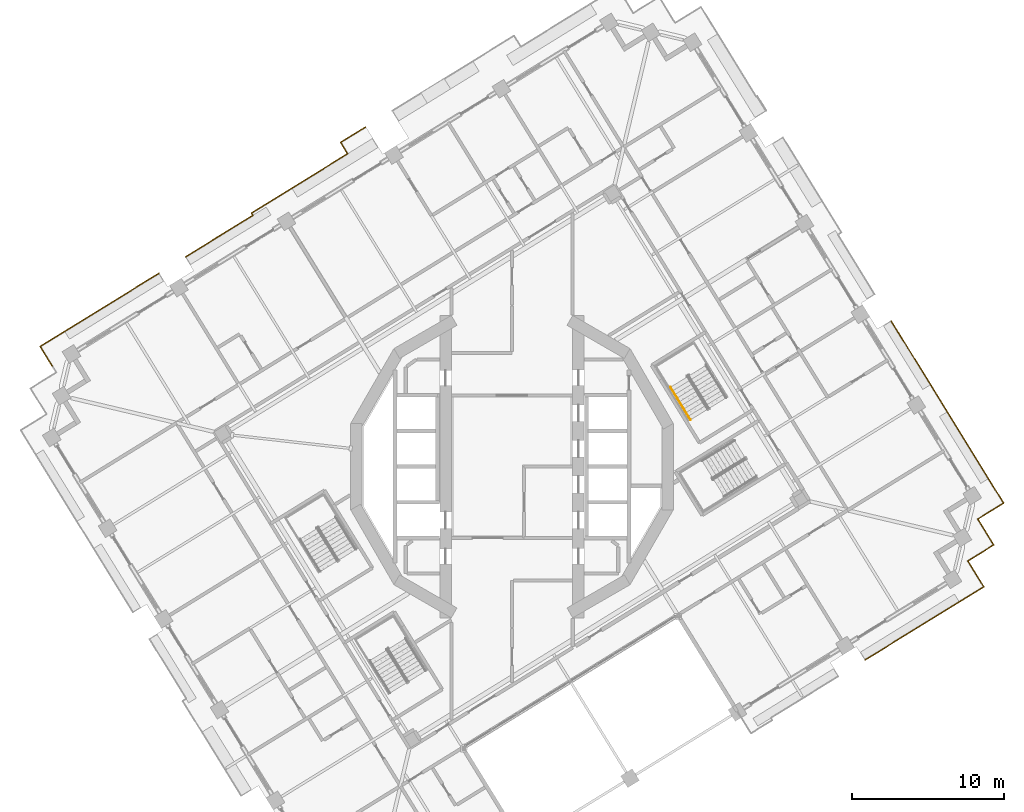
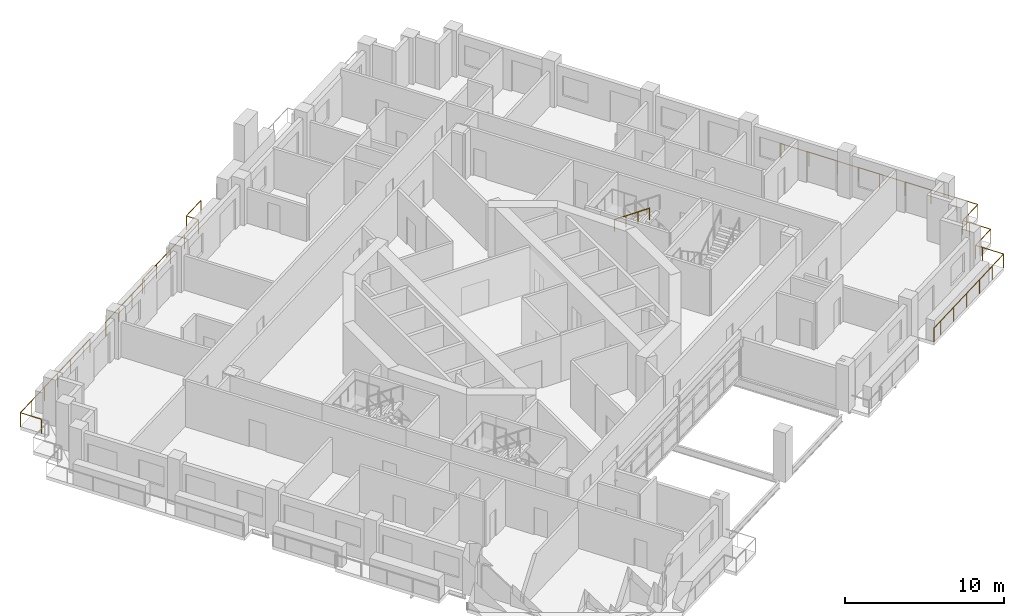
# One storey, part 19 of 22: 5 railings.
"""IFC4 building model written with IfcOpenShell, lengths in metres."""

from ifc_helpers import new_model, si_unit, direction, frame, origin, origin_2d, place, context, subcontext, project, spatial, circle, extrude, material, type_object, element, save


model = new_model("IFC4")

# Units and contexts
model_context = context("Model", 3, precision=1e-05, world=origin(), true_north=direction((0.0, 1.0)))
body_context = subcontext(model_context, "Body", "Model", "MODEL_VIEW")
ifc_project = project(units=[si_unit("LENGTHUNIT", "METRE"), si_unit("AREAUNIT", "SQUARE_METRE"), si_unit("VOLUMEUNIT", "CUBIC_METRE"), si_unit("PLANEANGLEUNIT", "RADIAN"), si_unit("MASSUNIT", "GRAM", prefix="KILO")], contexts=[model_context])

# Site, building, storey
site_placement = place(None, origin())
site = spatial("IfcSite", under=ifc_project, at=site_placement, CompositionType="ELEMENT")
building_placement = place(site_placement, origin())
building = spatial("IfcBuilding", under=site, at=building_placement, Name="Cantera Rosa Tower", CompositionType="ELEMENT")
storey_placement = place(building_placement, frame((0.0, 0.0, 174.199951171875)))
storey = spatial("IfcBuildingStorey", under=building, at=storey_placement, Name="L38", CompositionType="ELEMENT", Elevation=174.199951171875)

# Railings
ifc_material_1 = material(Name="Stainless steel and laminated glass", Category="steel")
railing_type_1 = type_object("IfcRailingType", Name="GUARD 1100", PredefinedType="BALUSTRADE", material=ifc_material_1)
railing_1_placement = place(storey_placement, frame((-30.293212890625, 6.634521484375, 0.0)))
element("IfcRailing", 1, at=railing_1_placement, inside=storey, type_object=railing_type_1, Name="GUARD L38-5", PredefinedType="BALUSTRADE", context=body_context, shape_type="SweptSolid", body=[
    extrude(circle(Radius=0.030029296875, at=origin_2d()), frame((0.0, 0.0, 1.070068359375), z_axis=(-0.524869051004, 0.85118298814, 0.0), x_axis=(-0.85118298814, -0.524869051004, 0.0)), (0.0, 0.0, 1.0), 1.5),
    extrude(circle(Radius=0.030029296875, at=origin_2d()), frame((-0.787353515625, 1.27685546875, 1.070068359375), z_axis=(0.851138143202, 0.52494176933, 0.0), x_axis=(-0.52494176933, 0.851138143202, 0.0)), (0.0, 0.0, 1.0), 1.5),
    extrude(circle(Radius=0.030029296875, at=origin_2d()), frame((0.4892578125, 2.064208984375, 1.070068359375), z_axis=(0.851120753703, 0.524969963537, 0.0), x_axis=(-0.524969963537, 0.851120753703, 0.0)), (0.0, 0.0, 1.0), 6.820068359375),
    extrude(circle(Radius=0.030029296875, at=origin_2d()), frame((6.2939453125, 5.64453125, 1.070068359375), z_axis=(0.851089370259, 0.525020841331, 0.0), x_axis=(-0.525020841331, 0.851089370259, 0.0)), (0.0, 0.0, 1.0), 0.8701171875),
    extrude(circle(Radius=0.02490234375, at=origin_2d()), origin(), (0.0, 0.0, 1.0), 1.0400390625),
    extrude(circle(Radius=0.02490234375, at=origin_2d()), frame((-0.787353515625, 1.27685546875, 0.0)), (0.0, 0.0, 1.0), 1.0400390625),
    extrude(circle(Radius=0.02490234375, at=origin_2d()), frame((0.4892578125, 2.064208984375, 0.0)), (0.0, 0.0, 1.0), 1.0400390625),
    extrude(circle(Radius=0.02490234375, at=origin_2d()), frame((1.9404296875, 2.959228515625, 0.0)), (0.0, 0.0, 1.0), 1.0400390625),
    extrude(circle(Radius=0.02490234375, at=origin_2d()), frame((3.3916015625, 3.8544921875, 0.0)), (0.0, 0.0, 1.0), 1.0400390625),
    extrude(circle(Radius=0.02490234375, at=origin_2d()), frame((4.8427734375, 4.74951171875, 0.0)), (0.0, 0.0, 1.0), 1.0400390625),
    extrude(circle(Radius=0.02490234375, at=origin_2d()), frame((6.2939453125, 5.64453125, 0.0)), (0.0, 0.0, 1.0), 1.0400390625),
    extrude(circle(Radius=0.02490234375, at=origin_2d()), frame((7.034423828125, 6.101318359375, 0.0)), (0.0, 0.0, 1.0), 1.0400390625),
])
railing_2_placement = place(storey_placement, frame((-21.505615234375, 13.817138671875, 0.0)))
element("IfcRailing", 2, at=railing_2_placement, inside=storey, type_object=railing_type_1, Name="GUARD L38-7", PredefinedType="BALUSTRADE", context=body_context, shape_type="SweptSolid", body=[
    extrude(circle(Radius=0.030029296875, at=origin_2d()), frame((0.0, 0.0, 1.070068359375), z_axis=(0.850339408664, 0.52623463405, 0.0), x_axis=(-0.52623463405, 0.850339408664, 0.0)), (0.0, 0.0, 1.0), 0.070068359375),
    extrude(circle(Radius=0.030029296875, at=origin_2d()), frame((0.0595703125, 0.036865234375, 1.070068359375), z_axis=(0.85112174284, 0.52496835987, 0.0), x_axis=(-0.52496835987, 0.85112174284, 0.0)), (0.0, 0.0, 1.0), 5.14404296875),
    extrude(circle(Radius=0.030029296875, at=origin_2d()), frame((4.437744140625, 2.7373046875, 1.070068359375), z_axis=(-0.525256814591, 0.850943757675, 0.0), x_axis=(-0.850943757675, -0.525256814591, 0.0)), (0.0, 0.0, 1.0), 0.17626953125),
    extrude(circle(Radius=0.030029296875, at=origin_2d()), frame((4.34521484375, 2.88720703125, 1.070068359375), z_axis=(0.851123002041, 0.524966318344, 0.0), x_axis=(-0.524966318344, 0.851123002041, 0.0)), (0.0, 0.0, 1.0), 7.444091796875),
    extrude(circle(Radius=0.030029296875, at=origin_2d()), frame((10.68115234375, 6.795166015625, 1.070068359375), z_axis=(-0.524952661105, 0.851131425573, 0.0), x_axis=(-0.851131425573, -0.524952661105, 0.0)), (0.0, 0.0, 1.0), 0.875732421875),
    extrude(circle(Radius=0.030029296875, at=origin_2d()), frame((10.221435546875, 7.54052734375, 1.070068359375), z_axis=(0.851095190476, 0.525011406304, 0.0), x_axis=(-0.525011406304, 0.851095190476, 0.0)), (0.0, 0.0, 1.0), 1.921875),
    extrude(circle(Radius=0.02490234375, at=origin_2d()), origin(), (0.0, 0.0, 1.0), 1.0400390625),
    extrude(circle(Radius=0.02490234375, at=origin_2d()), frame((0.0595703125, 0.036865234375, 0.0)), (0.0, 0.0, 1.0), 1.0400390625),
    extrude(circle(Radius=0.02490234375, at=origin_2d()), frame((1.51904296875, 0.93701171875, 0.0)), (0.0, 0.0, 1.0), 1.0400390625),
    extrude(circle(Radius=0.02490234375, at=origin_2d()), frame((2.978271484375, 1.837158203125, 0.0)), (0.0, 0.0, 1.0), 1.0400390625),
    extrude(circle(Radius=0.02490234375, at=origin_2d()), frame((4.437744140625, 2.7373046875, 0.0)), (0.0, 0.0, 1.0), 1.0400390625),
    extrude(circle(Radius=0.02490234375, at=origin_2d()), frame((4.34521484375, 2.88720703125, 0.0)), (0.0, 0.0, 1.0), 1.0400390625),
    extrude(circle(Radius=0.02490234375, at=origin_2d()), frame((5.92919921875, 3.8642578125, 0.0)), (0.0, 0.0, 1.0), 1.0400390625),
    extrude(circle(Radius=0.02490234375, at=origin_2d()), frame((7.51318359375, 4.84130859375, 0.0)), (0.0, 0.0, 1.0), 1.0400390625),
    extrude(circle(Radius=0.02490234375, at=origin_2d()), frame((9.09716796875, 5.818115234375, 0.0)), (0.0, 0.0, 1.0), 1.0400390625),
    extrude(circle(Radius=0.02490234375, at=origin_2d()), frame((10.68115234375, 6.795166015625, 0.0)), (0.0, 0.0, 1.0), 1.0400390625),
    extrude(circle(Radius=0.02490234375, at=origin_2d()), frame((10.221435546875, 7.54052734375, 0.0)), (0.0, 0.0, 1.0), 1.0400390625),
    extrude(circle(Radius=0.02490234375, at=origin_2d()), frame((11.857177734375, 8.549560546875, 0.0)), (0.0, 0.0, 1.0), 1.0400390625),
])
railing_3_placement = place(storey_placement, frame((30.293212890625, -6.634521484375, 0.0)))
element("IfcRailing", 3, at=railing_3_placement, inside=storey, type_object=railing_type_1, Name="GUARD L38-10", PredefinedType="BALUSTRADE", context=body_context, shape_type="SweptSolid", body=[
    extrude(circle(Radius=0.030029296875, at=origin_2d()), frame((0.0, 0.0, 1.070068359375), z_axis=(0.524869051004, -0.85118298814, 0.0), x_axis=(0.85118298814, 0.524869051004, 0.0)), (0.0, 0.0, 1.0), 1.5),
    extrude(circle(Radius=0.030029296875, at=origin_2d()), frame((0.787353515625, -1.27685546875, 1.070068359375), z_axis=(-0.851138143202, -0.52494176933, 0.0), x_axis=(0.52494176933, -0.851138143202, 0.0)), (0.0, 0.0, 1.0), 1.5),
    extrude(circle(Radius=0.030029296875, at=origin_2d()), frame((-0.4892578125, -2.064208984375, 1.070068359375), z_axis=(-0.851120753703, -0.524969963537, 0.0), x_axis=(0.524969963537, -0.851120753703, 0.0)), (0.0, 0.0, 1.0), 6.820068359375),
    extrude(circle(Radius=0.030029296875, at=origin_2d()), frame((-6.2939453125, -5.64453125, 1.070068359375), z_axis=(-0.851089370259, -0.525020841331, 0.0), x_axis=(0.525020841331, -0.851089370259, 0.0)), (0.0, 0.0, 1.0), 0.8701171875),
    extrude(circle(Radius=0.02490234375, at=origin_2d()), origin(), (0.0, 0.0, 1.0), 1.0400390625),
    extrude(circle(Radius=0.02490234375, at=origin_2d()), frame((0.787353515625, -1.27685546875, 0.0)), (0.0, 0.0, 1.0), 1.0400390625),
    extrude(circle(Radius=0.02490234375, at=origin_2d()), frame((-0.4892578125, -2.064208984375, 0.0)), (0.0, 0.0, 1.0), 1.0400390625),
    extrude(circle(Radius=0.02490234375, at=origin_2d()), frame((-1.9404296875, -2.959228515625, 0.0)), (0.0, 0.0, 1.0), 1.0400390625),
    extrude(circle(Radius=0.02490234375, at=origin_2d()), frame((-3.3916015625, -3.8544921875, 0.0)), (0.0, 0.0, 1.0), 1.0400390625),
    extrude(circle(Radius=0.02490234375, at=origin_2d()), frame((-4.8427734375, -4.74951171875, 0.0)), (0.0, 0.0, 1.0), 1.0400390625),
    extrude(circle(Radius=0.02490234375, at=origin_2d()), frame((-6.2939453125, -5.64453125, 0.0)), (0.0, 0.0, 1.0), 1.0400390625),
    extrude(circle(Radius=0.02490234375, at=origin_2d()), frame((-7.034423828125, -6.101318359375, 0.0)), (0.0, 0.0, 1.0), 1.0400390625),
])
railing_4_placement = place(storey_placement, frame((24.977783203125, 9.602294921875, 0.0)))
element("IfcRailing", 4, at=railing_4_placement, inside=storey, type_object=railing_type_1, Name="GUARD L38-11", PredefinedType="BALUSTRADE", context=body_context, shape_type="SweptSolid", body=[
    extrude(circle(Radius=0.030029296875, at=origin_2d()), frame((0.0, 0.0, 1.070068359375), z_axis=(0.523707774199, -0.851897979364, 0.0), x_axis=(0.851897979364, 0.523707774199, 0.0)), (0.0, 0.0, 1.0), 0.06982421875),
    extrude(circle(Radius=0.030029296875, at=origin_2d()), frame((0.03662109375, -0.0595703125, 1.070068359375), z_axis=(0.525022161202, -0.851088556054, 0.0), x_axis=(0.851088556054, 0.525022161202, 0.0)), (0.0, 0.0, 1.0), 4.02001953125),
    extrude(circle(Radius=0.030029296875, at=origin_2d()), frame((2.147216796875, -3.48095703125, 1.070068359375), z_axis=(0.524964362564, -0.851124208349, 0.0), x_axis=(0.851124208349, 0.524964362564, 0.0)), (0.0, 0.0, 1.0), 3.0),
    extrude(circle(Radius=0.030029296875, at=origin_2d()), frame((3.72216796875, -6.034423828125, 1.070068359375), z_axis=(0.524968277683, -0.851121793533, 0.0), x_axis=(0.851121793533, 0.524968277683, 0.0)), (0.0, 0.0, 1.0), 5.519775390625),
    extrude(circle(Radius=0.030029296875, at=origin_2d()), frame((6.619873046875, -10.732421875, 1.070068359375), z_axis=(0.524986950369, -0.851110276017, 0.0), x_axis=(0.851110276017, 0.524986950369, 0.0)), (0.0, 0.0, 1.0), 1.500244140625),
    extrude(circle(Radius=0.030029296875, at=origin_2d()), frame((7.407470703125, -12.00927734375, 1.070068359375), z_axis=(-0.85118298814, -0.524869051004, 0.0), x_axis=(0.524869051004, -0.85118298814, 0.0)), (0.0, 0.0, 1.0), 1.5),
    extrude(circle(Radius=0.030029296875, at=origin_2d()), frame((6.130615234375, -12.796630859375, 1.070068359375), z_axis=(-0.851138143202, -0.52494176933, 0.0), x_axis=(0.52494176933, -0.851138143202, 0.0)), (0.0, 0.0, 1.0), 0.5),
    extrude(circle(Radius=0.030029296875, at=origin_2d()), frame((5.705078125, -13.05908203125, 1.070068359375), z_axis=(0.52494176933, -0.851138143202, 0.0), x_axis=(0.851138143202, 0.52494176933, 0.0)), (0.0, 0.0, 1.0), 0.5),
    extrude(circle(Radius=0.030029296875, at=origin_2d()), frame((5.967529296875, -13.484619140625, 1.070068359375), z_axis=(0.524986950369, -0.851110276017, 0.0), x_axis=(0.851110276017, 0.524986950369, 0.0)), (0.0, 0.0, 1.0), 1.500244140625),
    extrude(circle(Radius=0.030029296875, at=origin_2d()), frame((6.755126953125, -14.761474609375, 1.070068359375), z_axis=(-0.851138143202, -0.52494176933, 0.0), x_axis=(0.52494176933, -0.851138143202, 0.0)), (0.0, 0.0, 1.0), 1.5),
    extrude(circle(Radius=0.030029296875, at=origin_2d()), frame((5.478515625, -15.548828125, 1.070068359375), z_axis=(-0.851138143202, -0.52494176933, 0.0), x_axis=(0.52494176933, -0.851138143202, 0.0)), (0.0, 0.0, 1.0), 0.5),
    extrude(circle(Radius=0.030029296875, at=origin_2d()), frame((5.052978515625, -15.811279296875, 1.070068359375), z_axis=(0.52494176933, -0.851138143202, 0.0), x_axis=(0.851138143202, 0.52494176933, 0.0)), (0.0, 0.0, 1.0), 0.5),
    extrude(circle(Radius=0.02490234375, at=origin_2d()), origin(), (0.0, 0.0, 1.0), 1.0400390625),
    extrude(circle(Radius=0.02490234375, at=origin_2d()), frame((0.03662109375, -0.0595703125, 0.0)), (0.0, 0.0, 1.0), 1.0400390625),
    extrude(circle(Radius=0.02490234375, at=origin_2d()), frame((1.091796875, -1.770263671875, 0.0)), (0.0, 0.0, 1.0), 1.0400390625),
    extrude(circle(Radius=0.02490234375, at=origin_2d()), frame((2.147216796875, -3.48095703125, 0.0)), (0.0, 0.0, 1.0), 1.0400390625),
    extrude(circle(Radius=0.02490234375, at=origin_2d()), frame((2.9345703125, -4.7578125, 0.0)), (0.0, 0.0, 1.0), 1.0400390625),
    extrude(circle(Radius=0.02490234375, at=origin_2d()), frame((3.72216796875, -6.034423828125, 0.0)), (0.0, 0.0, 1.0), 1.0400390625),
    extrude(circle(Radius=0.02490234375, at=origin_2d()), frame((4.68798828125, -7.600341796875, 0.0)), (0.0, 0.0, 1.0), 1.0400390625),
    extrude(circle(Radius=0.02490234375, at=origin_2d()), frame((5.654052734375, -9.16650390625, 0.0)), (0.0, 0.0, 1.0), 1.0400390625),
    extrude(circle(Radius=0.02490234375, at=origin_2d()), frame((6.619873046875, -10.732421875, 0.0)), (0.0, 0.0, 1.0), 1.0400390625),
    extrude(circle(Radius=0.02490234375, at=origin_2d()), frame((7.407470703125, -12.00927734375, 0.0)), (0.0, 0.0, 1.0), 1.0400390625),
    extrude(circle(Radius=0.02490234375, at=origin_2d()), frame((6.130615234375, -12.796630859375, 0.0)), (0.0, 0.0, 1.0), 1.0400390625),
    extrude(circle(Radius=0.02490234375, at=origin_2d()), frame((5.705078125, -13.05908203125, 0.0)), (0.0, 0.0, 1.0), 1.0400390625),
    extrude(circle(Radius=0.02490234375, at=origin_2d()), frame((5.967529296875, -13.484619140625, 0.0)), (0.0, 0.0, 1.0), 1.0400390625),
    extrude(circle(Radius=0.02490234375, at=origin_2d()), frame((6.755126953125, -14.761474609375, 0.0)), (0.0, 0.0, 1.0), 1.0400390625),
    extrude(circle(Radius=0.02490234375, at=origin_2d()), frame((5.478515625, -15.548828125, 0.0)), (0.0, 0.0, 1.0), 1.0400390625),
    extrude(circle(Radius=0.02490234375, at=origin_2d()), frame((5.052978515625, -15.811279296875, 0.0)), (0.0, 0.0, 1.0), 1.0400390625),
    extrude(circle(Radius=0.02490234375, at=origin_2d()), frame((5.3154296875, -16.23681640625, 0.0)), (0.0, 0.0, 1.0), 1.0400390625),
])
ifc_material_2 = material(Name="Steel S355J2 (EN 10025-2)", Category="steel")
railing_type_2 = type_object("IfcRailingType", Name="STAIR HANDRAIL 900", PredefinedType="HANDRAIL", material=ifc_material_2)
railing_5_placement = place(storey_placement, frame((10.441650390625, 5.2314453125, 2.090087890625)))
element("IfcRailing", 5, at=railing_5_placement, inside=storey, type_object=railing_type_2, Name="L38 ST-31 stair handrail 2", PredefinedType="HANDRAIL", context=body_context, shape_type="SweptSolid", body=[
    extrude(circle(Radius=0.02392578125, at=origin_2d()), frame((0.0, 0.0, 0.8759765625), z_axis=(0.434427613125, -0.704271375033, 0.561493080334), x_axis=(0.851102330005, 0.524999832248, 0.0)), (0.0, 0.0, 1.0), 3.04541015625),
    extrude(circle(Radius=0.02099609375, at=origin_2d()), origin(), (0.0, 0.0, 1.0), 0.851806640625),
    extrude(circle(Radius=0.02099609375, at=origin_2d()), frame((0.44091796875, -0.71484375, 0.570068359375)), (0.0, 0.0, 1.0), 0.851806640625),
    extrude(circle(Radius=0.02099609375, at=origin_2d()), frame((0.882080078125, -1.429931640625, 1.139892578125)), (0.0, 0.0, 1.0), 0.851806640625),
    extrude(circle(Radius=0.02099609375, at=origin_2d()), frame((1.322998046875, -2.144775390625, 1.7099609375)), (0.0, 0.0, 1.0), 0.851806640625),
])

save(model, "model.ifc")
